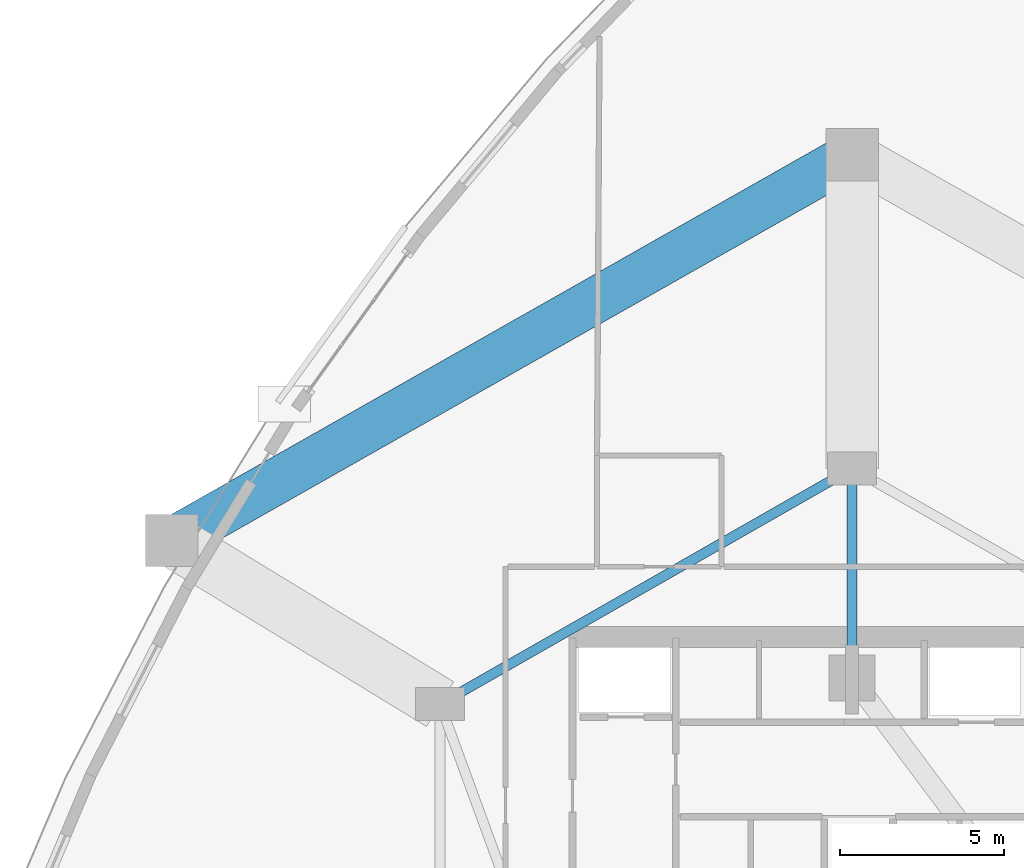
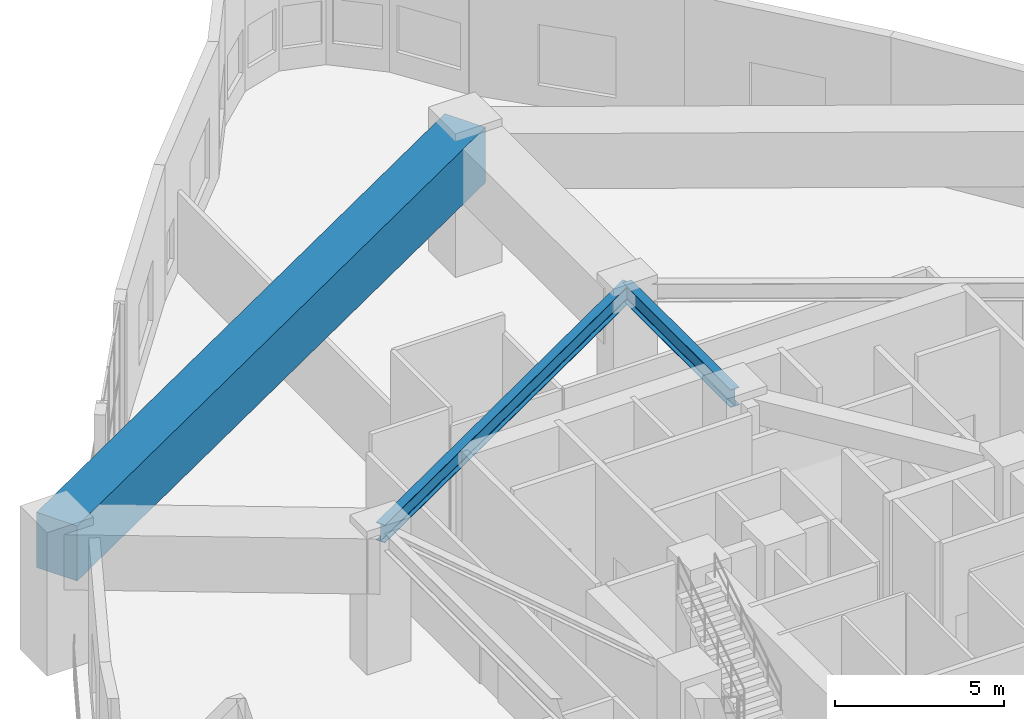
# One storey, part 7 of 19: 3 beams.
"""IFC4 building model written with IfcOpenShell, lengths in metres."""

from ifc_helpers import new_model, si_unit, direction, frame, origin, origin_2d, place, context, subcontext, project, spatial, rectangle, i_section, extrude, material, material_profile, profile_set, type_object, element, save


model = new_model("IFC4")

# Units and contexts
model_context = context("Model", 3, precision=1e-05, world=origin(), true_north=direction((0.0, 1.0)))
body_context = subcontext(model_context, "Body", "Model", "MODEL_VIEW")
ifc_project = project(units=[si_unit("LENGTHUNIT", "METRE"), si_unit("AREAUNIT", "SQUARE_METRE"), si_unit("VOLUMEUNIT", "CUBIC_METRE"), si_unit("PLANEANGLEUNIT", "RADIAN"), si_unit("MASSUNIT", "GRAM", prefix="KILO")], contexts=[model_context])

# Site, building, storey
site_placement = place(None, origin())
site = spatial("IfcSite", under=ifc_project, at=site_placement, CompositionType="ELEMENT")
building_placement = place(site_placement, origin())
building = spatial("IfcBuilding", under=site, at=building_placement, Name="Miruveldt Soraemaru", CompositionType="ELEMENT")
storey_placement = place(building_placement, frame((0.0, 0.0, 24.0)))
storey = spatial("IfcBuildingStorey", under=building, at=storey_placement, Name="L06", CompositionType="ELEMENT", Elevation=24.0)

# Beams
ifc_material_1 = material(Name="Steel SM355 (355 MPa)", Category="steel")
ifc_material_profile_1 = material_profile(ifc_material_1, i_section(OverallWidth=0.300048828125, OverallDepth=0.64990234375, WebThickness=0.012939453125, FlangeThickness=0.02197265625, FilletRadius=0.02587890625, at=origin_2d()), Name="Steel SM355 (355 MPa)", Category="steel")
ifc_profile_set_1 = profile_set([ifc_material_profile_1], Name="Steel SM355 (355 MPa)")
beam_type_1 = type_object("IfcBeamType", Name="BM-ST-H650", PredefinedType="BEAM", material=ifc_profile_set_1)
beam_1_placement = place(storey_placement, frame((44.0, 51.199951171875, 4.60009765625), z_axis=(0.0, 1.0, 0.0), x_axis=(-1.0, 0.0, 0.0)))
element("IfcBeam", 1, at=beam_1_placement, inside=storey, type_object=beam_type_1, Name="L06 Core-to-Inner Radial Girder 1", PredefinedType="BEAM", context=body_context, shape_type="SweptSolid", body=[
    extrude(i_section(OverallWidth=0.300048828125, OverallDepth=0.64990234375, WebThickness=0.012939453125, FlangeThickness=0.02197265625, FilletRadius=0.02587890625, at=origin_2d()), origin(), (0.0, 0.0, 1.0), 6.400146484375),
])
beam_2_placement = place(storey_placement, frame((31.39990234375, 50.39990234375, 4.60009765625), z_axis=(0.868239001029, 0.496146185203, 0.0), x_axis=(-0.496146185203, 0.868239001029, 0.0)))
element("IfcBeam", 2, at=beam_2_placement, inside=storey, type_object=beam_type_1, Name="L06 Inner Ring Girder 6", PredefinedType="BEAM", context=body_context, shape_type="SweptSolid", body=[
    extrude(i_section(OverallWidth=0.300048828125, OverallDepth=0.64990234375, WebThickness=0.012939453125, FlangeThickness=0.02197265625, FilletRadius=0.02587890625, at=origin_2d()), origin(), (0.0, 0.0, 1.0), 14.51220703125),
])
ifc_material_2 = material(Name="Concrete C70/85 (70 MPa)", Category="concrete")
ifc_material_profile_2 = material_profile(ifc_material_2, rectangle(XDim=1.39990234375, YDim=2.0, at=origin_2d()), Name="Concrete C70/85 (70 MPa)", Category="concrete")
ifc_profile_set_2 = profile_set([ifc_material_profile_2], Name="Concrete C70/85 (70 MPa)")
beam_type_2 = type_object("IfcBeamType", Name="BM-TG-1400x2000", PredefinedType="USERDEFINED", material=ifc_profile_set_2)
beam_3_placement = place(storey_placement, frame((23.199951171875, 55.39990234375, 3.925048828125), z_axis=(0.869782551993, 0.493435215858, 0.0), x_axis=(-0.493435215858, 0.869782551993, 0.0)))
element("IfcBeam", 3, at=beam_3_placement, inside=storey, type_object=beam_type_2, Name="L06 Podium Transfer Ring 6", ObjectType="TRANSFER GIRDER", PredefinedType="USERDEFINED", context=body_context, shape_type="SweptSolid", body=[
    extrude(rectangle(XDim=1.39990234375, YDim=2.0, at=origin_2d()), origin(), (0.0, 0.0, 1.0), 23.9140625),
])

save(model, "model.ifc")
